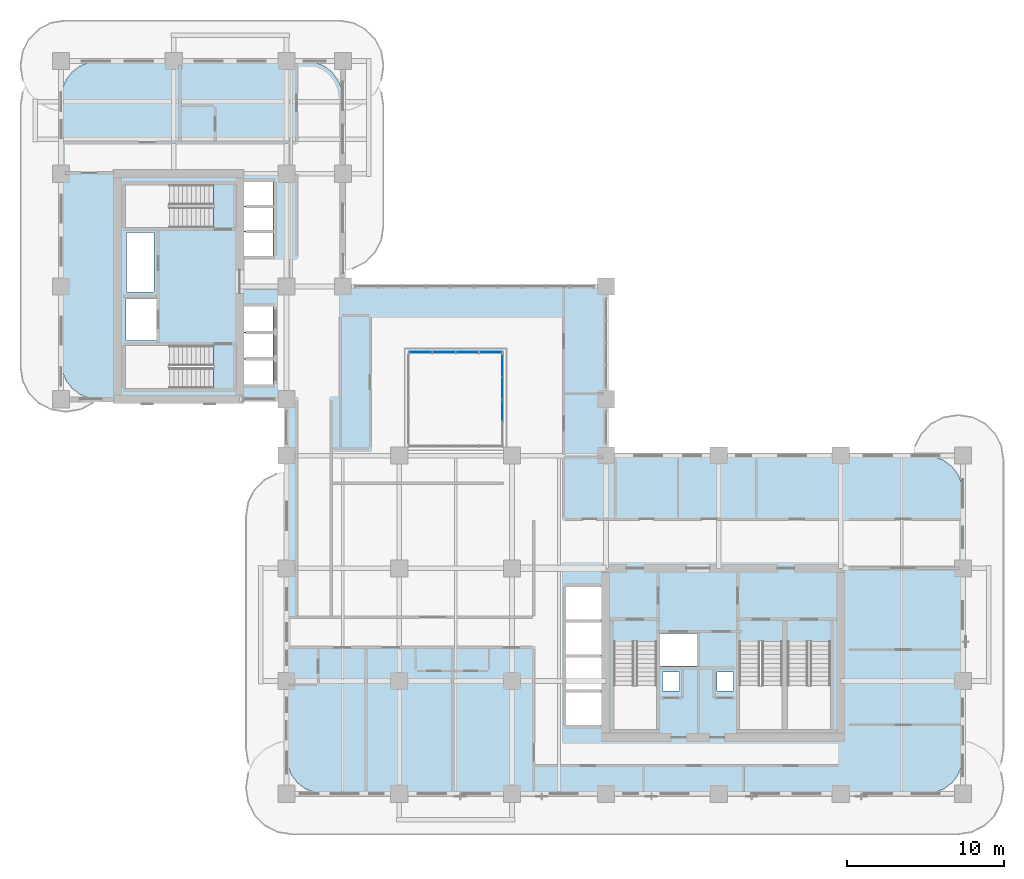
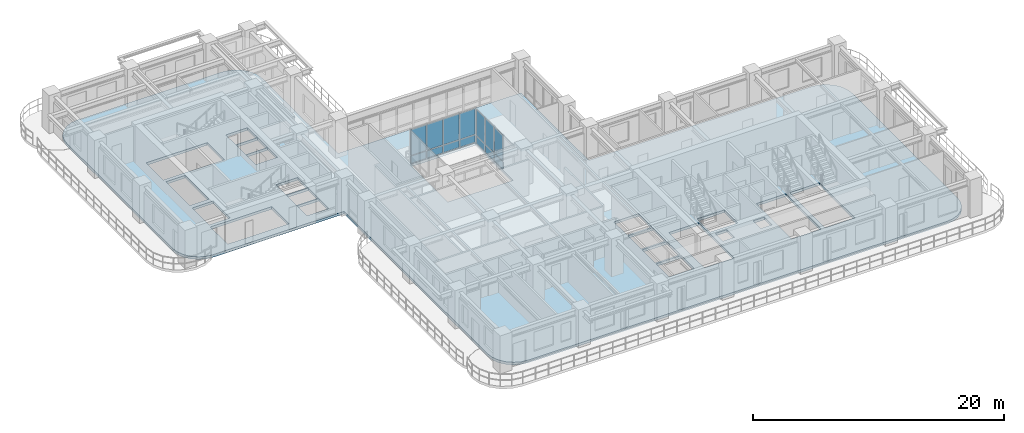
# One storey, part 9 of 22: 14 plates, 1 slab, 2 elements without a shape of their own.
"""IFC4 building model written with IfcOpenShell, lengths in metres."""

from ifc_helpers import new_model, si_unit, derived_unit, direction, frame, origin, origin_2d, place, context, subcontext, project, spatial, polyline, rectangle, outline, extrude, source, transform, mapped, material, layer, layer_set, type_object, element, aggregate, save


model = new_model("IFC4")

# Units and contexts
model_context = context("Model", 3, precision=1e-05, world=origin(), true_north=direction((0.0, 1.0)))
body_context = subcontext(model_context, "Body", "Model", "MODEL_VIEW")
ifc_project = project(units=[si_unit("LENGTHUNIT", "METRE"), si_unit("AREAUNIT", "SQUARE_METRE"), si_unit("VOLUMEUNIT", "CUBIC_METRE"), si_unit("PLANEANGLEUNIT", "RADIAN"), si_unit("MASSUNIT", "GRAM", prefix="KILO"), si_unit("THERMODYNAMICTEMPERATUREUNIT", "KELVIN"), si_unit("POWERUNIT", "WATT"), derived_unit("THERMALTRANSMITTANCEUNIT", [(si_unit("POWERUNIT", "WATT"), 1), (si_unit("AREAUNIT", "SQUARE_METRE"), -1), (si_unit("THERMODYNAMICTEMPERATUREUNIT", "KELVIN"), -1)])], contexts=[model_context])

# Site, building, storey
site_placement = place(None, origin())
site = spatial("IfcSite", under=ifc_project, at=site_placement, CompositionType="ELEMENT")
building_placement = place(site_placement, origin())
building = spatial("IfcBuilding", under=site, at=building_placement, Name="Zahravan Archway Hotel and Residences", CompositionType="ELEMENT")
storey_placement = place(building_placement, frame((0.0, 0.0, 76.800048828125)))
storey = spatial("IfcBuildingStorey", under=building, at=storey_placement, Name="L18", CompositionType="ELEMENT", Elevation=76.800048828125)

# Slab
ifc_material_1 = material(Name="Concrete C45/55", Category="concrete")
ifc_layer_1 = layer(ifc_material_1, 0.25, Name="Concrete C45/55", Category="concrete")
ifc_layer_set_1 = layer_set([ifc_layer_1], Name="Concrete C45/55")
slab_type = type_object("IfcSlabType", Name="SLB-FLR-250", PredefinedType="FLOOR", material=ifc_layer_set_1)
slab_placement = place(storey_placement, frame((0.0, 0.0, -0.25)))
element("IfcSlab", 1, at=slab_placement, inside=storey, type_object=slab_type, Name="L18 Floor Slab LB", PredefinedType="FLOOR", context=body_context, shape_type="SweptSolid", body=[
    extrude(outline(polyline([(34.800048828125, 21.60009765625), (34.800048828125, 32.39990234375), (18.0, 32.39990234375), (18.0, 44.39990234375), (17.918212890625, 45.021240234375), (17.678466796875, 45.60009765625), (17.297119140625, 46.09716796875), (16.800048828125, 46.478515625), (16.22119140625, 46.71826171875), (15.60009765625, 46.800048828125), (2.39990234375, 46.800048828125), (1.77880859375, 46.71826171875), (1.199951171875, 46.478515625), (0.702880859375, 46.09716796875), (0.321533203125, 45.60009765625), (0.081787109375, 45.021240234375), (0.0, 44.39990234375), (0.0, 27.60009765625), (0.081787109375, 26.978759765625), (0.321533203125, 26.39990234375), (0.702880859375, 25.90283203125), (1.199951171875, 25.521484375), (1.77880859375, 25.28173828125), (2.39990234375, 25.199951171875), (14.39990234375, 25.199951171875), (14.39990234375, 19.199951171875), (14.39990234375, 19.10009765625), (14.39990234375, 2.39990234375), (14.481689453125, 1.77880859375), (14.721435546875, 1.199951171875), (15.102783203125, 0.702880859375), (15.60009765625, 0.321533203125), (16.1787109375, 0.081787109375), (16.800048828125, 0.0), (55.199951171875, 0.0), (55.8212890625, 0.081787109375), (56.39990234375, 0.321533203125), (56.897216796875, 0.702880859375), (57.278564453125, 1.199951171875), (57.518310546875, 1.77880859375), (57.60009765625, 2.39990234375), (57.60009765625, 19.199951171875), (57.518310546875, 19.8212890625), (57.278564453125, 20.39990234375), (56.897216796875, 20.897216796875), (56.39990234375, 21.278564453125), (55.8212890625, 21.518310546875), (55.199951171875, 21.60009765625), (34.800048828125, 21.60009765625)]), holes=[polyline([(35.300048828125, 9.72998046875), (35.300048828125, 4.10009765625), (38.0400390625, 4.10009765625), (38.0400390625, 9.72998046875), (35.300048828125, 9.72998046875)]), polyline([(43.320068359375, 9.72998046875), (43.320068359375, 4.10009765625), (46.06005859375, 4.10009765625), (46.06005859375, 9.72998046875), (43.320068359375, 9.72998046875)]), polyline([(46.39990234375, 9.72998046875), (46.39990234375, 4.10009765625), (49.139892578125, 4.10009765625), (49.139892578125, 9.72998046875), (46.39990234375, 9.72998046875)]), polyline([(9.72998046875, 28.639892578125), (4.10009765625, 28.639892578125), (4.10009765625, 25.89990234375), (9.72998046875, 25.89990234375), (9.72998046875, 28.639892578125)]), polyline([(9.72998046875, 38.89990234375), (4.10009765625, 38.89990234375), (4.10009765625, 36.159912109375), (9.72998046875, 36.159912109375), (9.72998046875, 38.89990234375)]), polyline([(38.179931640625, 8.14990234375), (40.699951171875, 8.14990234375), (40.699951171875, 10.25), (38.179931640625, 10.25), (38.179931640625, 8.14990234375)]), polyline([(4.14990234375, 28.949951171875), (6.10009765625, 28.949951171875), (6.10009765625, 31.64990234375), (4.14990234375, 31.64990234375), (4.14990234375, 28.949951171875)]), polyline([(11.550048828125, 26.14990234375), (13.550048828125, 26.14990234375), (13.550048828125, 27.75), (11.550048828125, 27.75), (11.550048828125, 26.14990234375)]), polyline([(11.550048828125, 27.830078125), (13.550048828125, 27.830078125), (13.550048828125, 29.429931640625), (11.550048828125, 29.429931640625), (11.550048828125, 27.830078125)]), polyline([(11.550048828125, 29.510009765625), (13.550048828125, 29.510009765625), (13.550048828125, 31.110107421875), (11.550048828125, 31.110107421875), (11.550048828125, 29.510009765625)]), polyline([(11.550048828125, 34.35009765625), (13.550048828125, 34.35009765625), (13.550048828125, 35.889892578125), (11.550048828125, 35.889892578125), (11.550048828125, 34.35009765625)]), polyline([(11.550048828125, 35.949951171875), (13.550048828125, 35.949951171875), (13.550048828125, 37.489990234375), (11.550048828125, 37.489990234375), (11.550048828125, 35.949951171875)]), polyline([(11.550048828125, 37.550048828125), (13.550048828125, 37.550048828125), (13.550048828125, 39.090087890625), (11.550048828125, 39.090087890625), (11.550048828125, 37.550048828125)]), polyline([(32.25, 4.39990234375), (34.550048828125, 4.39990234375), (34.550048828125, 6.47998046875), (32.25, 6.47998046875), (32.25, 4.39990234375)]), polyline([(32.25, 6.639892578125), (34.550048828125, 6.639892578125), (34.550048828125, 8.719970703125), (32.25, 8.719970703125), (32.25, 6.639892578125)]), polyline([(32.25, 8.8798828125), (34.550048828125, 8.8798828125), (34.550048828125, 10.9599609375), (32.25, 10.9599609375), (32.25, 8.8798828125)]), polyline([(32.25, 11.1201171875), (34.550048828125, 11.1201171875), (34.550048828125, 13.199951171875), (32.25, 13.199951171875), (32.25, 11.1201171875)]), polyline([(22.199951171875, 22.199951171875), (28.199951171875, 22.199951171875), (28.199951171875, 28.199951171875), (22.199951171875, 28.199951171875), (22.199951171875, 22.199951171875)]), polyline([(38.419921875, 6.56005859375), (39.5, 6.56005859375), (39.5, 7.780029296875), (38.419921875, 7.780029296875), (38.419921875, 6.56005859375)]), polyline([(41.89990234375, 6.56005859375), (42.9599609375, 6.56005859375), (42.9599609375, 7.780029296875), (41.89990234375, 7.780029296875), (41.89990234375, 6.56005859375)]), polyline([(4.179931640625, 32.050048828125), (5.93994140625, 32.050048828125), (5.93994140625, 35.840087890625), (4.179931640625, 35.840087890625), (4.179931640625, 32.050048828125)])]), origin(), (0.0, 0.0, 1.0), 0.25),
])

# Curtain wall, plates
ifc_material_2 = material(Name="Bronze-Anodized Unitised Aluminium & Low-E Glass", Category="aluminium")
ifc_layer_2 = layer(ifc_material_2, 0.179931640625, Name="Bronze-Anodized Unitised Aluminium & Low-E Glass", Category="aluminium")
ifc_layer_set_2 = layer_set([ifc_layer_2], Name="Bronze-Anodized Unitised Aluminium & Low-E Glass")
curtain_wall_type = type_object("IfcCurtainWallType", Name="CW-ATR-GLAZ", PredefinedType="NOTDEFINED", material=ifc_layer_set_2)
curtain_wall_1_placement = place(storey_placement, origin())
curtain_wall_1 = element("IfcCurtainWall", 2, at=curtain_wall_1_placement, inside=storey, type_object=curtain_wall_type, Name="L18 Curtain Wall CW-ATR-L18-N-1", PredefinedType="NOTDEFINED")
ifc_material_3 = material(Name="Insulated Terracotta Spandrel Panel", Category="masonry")
ifc_layer_3 = layer(ifc_material_3, 0.0400390625, Name="Insulated Terracotta Spandrel Panel", Category="masonry")
ifc_layer_set_3 = layer_set([ifc_layer_3], Name="Insulated Terracotta Spandrel Panel")
plate_type_1 = type_object("IfcPlateType", Name="CWP-SPN-40", PredefinedType="SHEET", material=ifc_layer_set_3)
shared_shape_1 = source(origin(), body_context, "Body", "SweptSolid", [
    extrude(rectangle(XDim=1.419921875, YDim=0.0400390625, at=origin_2d()), origin(), (0.0, 0.0, 1.0), 0.68798828125),
])
plate_1_placement = place(storey_placement, frame((22.949951171875, 28.199951171875, 0.099853515625), z_axis=(0.0, 0.0, 1.0), x_axis=(1.0, 0.0, 0.0)))
plate_1 = element("IfcPlate", 3, at=plate_1_placement, type_object=plate_type_1, Name="CW-ATR-L18-N-1 Spandrel Panel 0", PredefinedType="SHEET", context=body_context, shape_type="MappedRepresentation", body=[
    mapped(shared_shape_1, transform((0.0, 0.0, 0.0), scale=1.0)),
])
plate_2_placement = place(storey_placement, frame((24.449951171875, 28.199951171875, 0.099853515625), z_axis=(0.0, 0.0, 1.0), x_axis=(1.0, 0.0, 0.0)))
plate_2 = element("IfcPlate", 4, at=plate_2_placement, type_object=plate_type_1, Name="CW-ATR-L18-N-1 Spandrel Panel 1", PredefinedType="SHEET", context=body_context, shape_type="MappedRepresentation", body=[
    mapped(shared_shape_1, transform((0.0, 0.0, 0.0), scale=1.0)),
])
plate_3_placement = place(storey_placement, frame((25.949951171875, 28.199951171875, 0.099853515625), z_axis=(0.0, 0.0, 1.0), x_axis=(1.0, 0.0, 0.0)))
plate_3 = element("IfcPlate", 5, at=plate_3_placement, type_object=plate_type_1, Name="CW-ATR-L18-N-1 Spandrel Panel 2", PredefinedType="SHEET", context=body_context, shape_type="MappedRepresentation", body=[
    mapped(shared_shape_1, transform((0.0, 0.0, 0.0), scale=1.0)),
])
plate_4_placement = place(storey_placement, frame((27.449951171875, 28.199951171875, 0.099853515625), z_axis=(0.0, 0.0, 1.0), x_axis=(1.0, 0.0, 0.0)))
plate_4 = element("IfcPlate", 6, at=plate_4_placement, type_object=plate_type_1, Name="CW-ATR-L18-N-1 Spandrel Panel 3", PredefinedType="SHEET", context=body_context, shape_type="MappedRepresentation", body=[
    mapped(shared_shape_1, transform((0.0, 0.0, 0.0), scale=1.0)),
])
ifc_material_4 = material(Name="Double-Silver Low-E Insulated Vision Glass", Category="glass")
ifc_layer_4 = layer(ifc_material_4, 0.028076171875, Name="Double-Silver Low-E Insulated Vision Glass", Category="glass")
ifc_layer_set_4 = layer_set([ifc_layer_4], Name="Double-Silver Low-E Insulated Vision Glass")
plate_type_2 = type_object("IfcPlateType", Name="CWP-GLZ-28", PredefinedType="CURTAIN_PANEL", material=ifc_layer_set_4)
shared_shape_2 = source(origin(), body_context, "Body", "SweptSolid", [
    extrude(rectangle(XDim=1.419921875, YDim=0.028076171875, at=origin_2d()), origin(), (0.0, 0.0, 1.0), 2.48193359375),
])
plate_5_placement = place(storey_placement, frame((22.949951171875, 28.199951171875, 0.867919921875), z_axis=(0.0, 0.0, 1.0), x_axis=(1.0, 0.0, 0.0)))
plate_5 = element("IfcPlate", 7, at=plate_5_placement, type_object=plate_type_2, Name="CW-ATR-L18-N-1 Low-E Vision Panel 0", PredefinedType="CURTAIN_PANEL", context=body_context, shape_type="MappedRepresentation", body=[
    mapped(shared_shape_2, transform((0.0, 0.0, 0.0), scale=1.0)),
])
plate_6_placement = place(storey_placement, frame((24.449951171875, 28.199951171875, 0.867919921875), z_axis=(0.0, 0.0, 1.0), x_axis=(1.0, 0.0, 0.0)))
plate_6 = element("IfcPlate", 8, at=plate_6_placement, type_object=plate_type_2, Name="CW-ATR-L18-N-1 Low-E Vision Panel 1", PredefinedType="CURTAIN_PANEL", context=body_context, shape_type="MappedRepresentation", body=[
    mapped(shared_shape_2, transform((0.0, 0.0, 0.0), scale=1.0)),
])
plate_7_placement = place(storey_placement, frame((25.949951171875, 28.199951171875, 0.867919921875), z_axis=(0.0, 0.0, 1.0), x_axis=(1.0, 0.0, 0.0)))
plate_7 = element("IfcPlate", 9, at=plate_7_placement, type_object=plate_type_2, Name="CW-ATR-L18-N-1 Low-E Vision Panel 2", PredefinedType="CURTAIN_PANEL", context=body_context, shape_type="MappedRepresentation", body=[
    mapped(shared_shape_2, transform((0.0, 0.0, 0.0), scale=1.0)),
])
plate_8_placement = place(storey_placement, frame((27.449951171875, 28.199951171875, 0.867919921875), z_axis=(0.0, 0.0, 1.0), x_axis=(1.0, 0.0, 0.0)))
plate_8 = element("IfcPlate", 10, at=plate_8_placement, type_object=plate_type_2, Name="CW-ATR-L18-N-1 Low-E Vision Panel 3", PredefinedType="CURTAIN_PANEL", context=body_context, shape_type="MappedRepresentation", body=[
    mapped(shared_shape_2, transform((0.0, 0.0, 0.0), scale=1.0)),
])
aggregate(curtain_wall_1, [plate_1, plate_5, plate_2, plate_6, plate_3, plate_7, plate_4, plate_8])

curtain_wall_2_placement = place(storey_placement, origin())
curtain_wall_2 = element("IfcCurtainWall", 11, at=curtain_wall_2_placement, inside=storey, type_object=curtain_wall_type, Name="L18 Curtain Wall CW-ATR-L18-E-1", PredefinedType="NOTDEFINED")
shared_shape_3 = source(origin(), body_context, "Body", "SweptSolid", [
    extrude(rectangle(XDim=1.344970703125, YDim=0.0400390625, at=origin_2d()), origin(), (0.0, 0.0, 1.0), 0.68798828125),
])
plate_9_placement = place(storey_placement, frame((28.199951171875, 24.487548828125, 0.099853515625), z_axis=(0.0, 0.0, 1.0), x_axis=(0.0, 1.0, 0.0)))
plate_9 = element("IfcPlate", 12, at=plate_9_placement, type_object=plate_type_1, Name="CW-ATR-L18-E-1 Spandrel Panel 1", PredefinedType="SHEET", context=body_context, shape_type="MappedRepresentation", body=[
    mapped(shared_shape_3, transform((0.0, 0.0, 0.0), scale=1.0)),
])
plate_10_placement = place(storey_placement, frame((28.199951171875, 25.91259765625, 0.099853515625), z_axis=(0.0, 0.0, 1.0), x_axis=(0.0, 1.0, 0.0)))
plate_10 = element("IfcPlate", 13, at=plate_10_placement, type_object=plate_type_1, Name="CW-ATR-L18-E-1 Spandrel Panel 2", PredefinedType="SHEET", context=body_context, shape_type="MappedRepresentation", body=[
    mapped(shared_shape_3, transform((0.0, 0.0, 0.0), scale=1.0)),
])
plate_11_placement = place(storey_placement, frame((28.199951171875, 27.33740234375, 0.099853515625), z_axis=(0.0, 0.0, 1.0), x_axis=(0.0, 1.0, 0.0)))
plate_11 = element("IfcPlate", 14, at=plate_11_placement, type_object=plate_type_1, Name="CW-ATR-L18-E-1 Spandrel Panel 3", PredefinedType="SHEET", context=body_context, shape_type="MappedRepresentation", body=[
    mapped(shared_shape_3, transform((0.0, 0.0, 0.0), scale=1.0)),
])
shared_shape_4 = source(origin(), body_context, "Body", "SweptSolid", [
    extrude(rectangle(XDim=1.344970703125, YDim=0.028076171875, at=origin_2d()), origin(), (0.0, 0.0, 1.0), 2.48193359375),
])
plate_12_placement = place(storey_placement, frame((28.199951171875, 24.487548828125, 0.867919921875), z_axis=(0.0, 0.0, 1.0), x_axis=(0.0, 1.0, 0.0)))
plate_12 = element("IfcPlate", 15, at=plate_12_placement, type_object=plate_type_2, Name="CW-ATR-L18-E-1 Low-E Vision Panel 1", PredefinedType="CURTAIN_PANEL", context=body_context, shape_type="MappedRepresentation", body=[
    mapped(shared_shape_4, transform((0.0, 0.0, 0.0), scale=1.0)),
])
plate_13_placement = place(storey_placement, frame((28.199951171875, 25.91259765625, 0.867919921875), z_axis=(0.0, 0.0, 1.0), x_axis=(0.0, 1.0, 0.0)))
plate_13 = element("IfcPlate", 16, at=plate_13_placement, type_object=plate_type_2, Name="CW-ATR-L18-E-1 Low-E Vision Panel 2", PredefinedType="CURTAIN_PANEL", context=body_context, shape_type="MappedRepresentation", body=[
    mapped(shared_shape_4, transform((0.0, 0.0, 0.0), scale=1.0)),
])
plate_14_placement = place(storey_placement, frame((28.199951171875, 27.33740234375, 0.867919921875), z_axis=(0.0, 0.0, 1.0), x_axis=(0.0, 1.0, 0.0)))
plate_14 = element("IfcPlate", 17, at=plate_14_placement, type_object=plate_type_2, Name="CW-ATR-L18-E-1 Low-E Vision Panel 3", PredefinedType="CURTAIN_PANEL", context=body_context, shape_type="MappedRepresentation", body=[
    mapped(shared_shape_4, transform((0.0, 0.0, 0.0), scale=1.0)),
])
aggregate(curtain_wall_2, [plate_9, plate_12, plate_10, plate_13, plate_11, plate_14])

save(model, "model.ifc")
